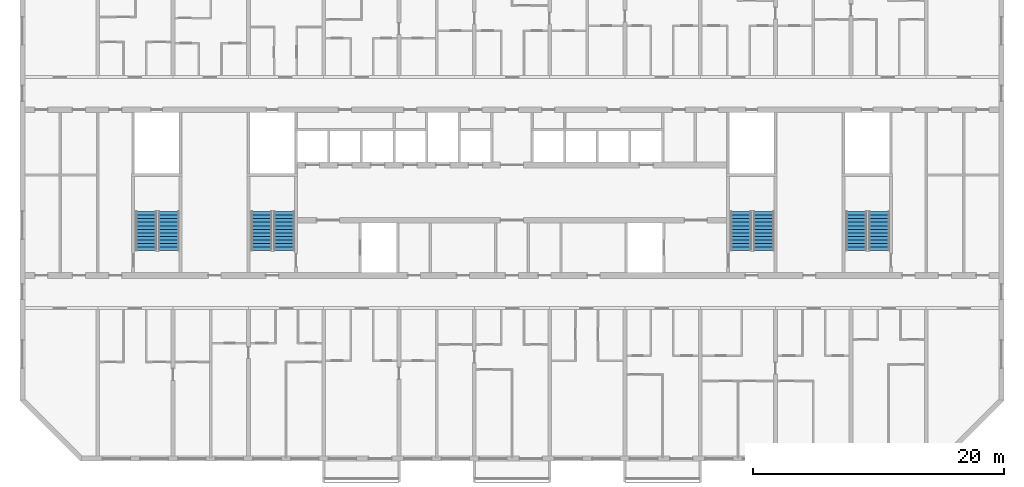
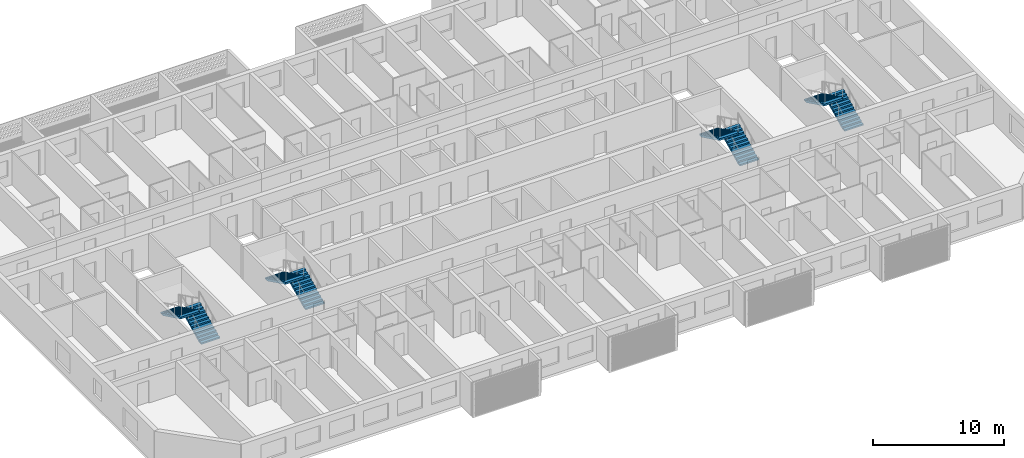
# One storey, part 13 of 32: 8 stair flights, 4 elements without a shape of their own.
"""IFC4 building model written with IfcOpenShell, lengths in metres."""

from ifc_helpers import new_model, si_unit, direction, frame, origin, place, context, subcontext, project, spatial, polyline, outline, extrude, material, layer, layer_set, type_object, element, aggregate, save


model = new_model("IFC4")

# Units and contexts
model_context = context("Model", 3, precision=1e-05, world=origin(), true_north=direction((0.0, 1.0)))
body_context = subcontext(model_context, "Body", "Model", "MODEL_VIEW")
ifc_project = project(units=[si_unit("LENGTHUNIT", "METRE"), si_unit("AREAUNIT", "SQUARE_METRE"), si_unit("VOLUMEUNIT", "CUBIC_METRE"), si_unit("PLANEANGLEUNIT", "RADIAN"), si_unit("MASSUNIT", "GRAM", prefix="KILO")], contexts=[model_context])

# Site, building, storey
site_placement = place(None, origin())
site = spatial("IfcSite", under=ifc_project, at=site_placement, CompositionType="ELEMENT")
building_placement = place(site_placement, origin())
building = spatial("IfcBuilding", under=site, at=building_placement, Name="Poui Terraces", CompositionType="ELEMENT")
storey_placement = place(building_placement, frame((0.0, 0.0, 122.39990234375)))
storey = spatial("IfcBuildingStorey", under=building, at=storey_placement, Name="L33", CompositionType="ELEMENT", Elevation=122.39990234375)

# Stair, stair flights
ifc_material = material(Name="Concrete 65 MPa", Category="concrete")
stair_type = type_object("IfcStairType", Name="EXIT STAIR 1650 65 MPA", PredefinedType="HALF_TURN_STAIR", material=ifc_material)
stair_1_placement = place(storey_placement, origin())
stair_1 = element("IfcStair", 1, at=stair_1_placement, inside=storey, type_object=stair_type, Name="L33 CORE STAIR EAST", PredefinedType="HALF_TURN_STAIR")
ifc_layer = layer(ifc_material, 0.14990234375)
ifc_layer_set = layer_set([ifc_layer], Name="Concrete 65 MPa")
stair_flight_type = type_object("IfcStairFlightType", Name="STAIR FLIGHT 12 RISERS 138 RISE 65 MPA", PredefinedType="STRAIGHT", material=ifc_layer_set)
stair_flight_1_placement = place(storey_placement, frame((71.050048828125, 16.60009765625, 0.0), z_axis=(0.0, 0.0, 1.0), x_axis=(0.0, 1.0, 0.0)))
stair_flight_1 = element("IfcStairFlight", 2, at=stair_flight_1_placement, type_object=stair_flight_type, Name="ST-CE flight 1", NumberOfRisers=12, NumberOfTreads=11, PredefinedType="STRAIGHT", RiserHeight=0.1375, TreadLength=0.28, context=body_context, shape_type="SweptSolid", body=[
    extrude(outline(polyline([(0.0, 0.0), (0.0, 0.137451171875), (0.280029296875, 0.137451171875), (0.280029296875, 0.27490234375), (0.56005859375, 0.27490234375), (0.56005859375, 0.41259765625), (0.840087890625, 0.41259765625), (0.840087890625, 0.550048828125), (1.1201171875, 0.550048828125), (1.1201171875, 0.6875), (1.39990234375, 0.6875), (1.39990234375, 0.824951171875), (1.679931640625, 0.824951171875), (1.679931640625, 0.96240234375), (1.9599609375, 0.96240234375), (1.9599609375, 1.10009765625), (2.239990234375, 1.10009765625), (2.239990234375, 1.237548828125), (2.52001953125, 1.237548828125), (2.52001953125, 1.375), (2.800048828125, 1.375), (2.800048828125, 1.512451171875), (3.080078125, 1.512451171875), (3.080078125, 1.64990234375), (3.080078125, 1.345458984375), (0.340087890625, 0.0), (0.0, 0.0)])), frame((0.0, 0.824951171875, 0.0), z_axis=(0.0, -1.0, 0.0), x_axis=(1.0, 0.0, 0.0)), (0.0, 0.0, 1.0), 1.64990234375),
])
stair_flight_2_placement = place(storey_placement, frame((69.25, 19.679931640625, 1.650146484375), z_axis=(0.0, 0.0, 1.0), x_axis=(0.0, -1.0, 0.0)))
stair_flight_2 = element("IfcStairFlight", 3, at=stair_flight_2_placement, type_object=stair_flight_type, Name="ST-CE flight 2", NumberOfRisers=12, NumberOfTreads=11, PredefinedType="STRAIGHT", RiserHeight=0.1375, TreadLength=0.28, context=body_context, shape_type="SweptSolid", body=[
    extrude(outline(polyline([(0.0, 0.0), (0.0, 0.137451171875), (0.280029296875, 0.137451171875), (0.280029296875, 0.27490234375), (0.56005859375, 0.27490234375), (0.56005859375, 0.41259765625), (0.840087890625, 0.41259765625), (0.840087890625, 0.550048828125), (1.1201171875, 0.550048828125), (1.1201171875, 0.6875), (1.39990234375, 0.6875), (1.39990234375, 0.824951171875), (1.679931640625, 0.824951171875), (1.679931640625, 0.96240234375), (1.9599609375, 0.96240234375), (1.9599609375, 1.10009765625), (2.239990234375, 1.10009765625), (2.239990234375, 1.237548828125), (2.52001953125, 1.237548828125), (2.52001953125, 1.375), (2.800048828125, 1.375), (2.800048828125, 1.512451171875), (3.080078125, 1.512451171875), (3.080078125, 1.64990234375), (3.080078125, 1.345458984375), (0.340087890625, 0.0), (0.0, 0.0)])), frame((0.0, 0.824951171875, 0.0), z_axis=(0.0, -1.0, 0.0), x_axis=(1.0, 0.0, 0.0)), (0.0, 0.0, 1.0), 1.64990234375),
])
aggregate(stair_1, [stair_flight_1, stair_flight_2])

stair_2_placement = place(storey_placement, origin())
stair_2 = element("IfcStair", 4, at=stair_2_placement, inside=storey, type_object=stair_type, Name="L33 CORE STAIR WEST", PredefinedType="HALF_TURN_STAIR")
stair_flight_3_placement = place(storey_placement, frame((32.85009765625, 16.60009765625, 0.0), z_axis=(0.0, 0.0, 1.0), x_axis=(0.0, 1.0, 0.0)))
stair_flight_3 = element("IfcStairFlight", 5, at=stair_flight_3_placement, type_object=stair_flight_type, Name="ST-CW flight 1", NumberOfRisers=12, NumberOfTreads=11, PredefinedType="STRAIGHT", RiserHeight=0.1375, TreadLength=0.28, context=body_context, shape_type="SweptSolid", body=[
    extrude(outline(polyline([(0.0, 0.0), (0.0, 0.137451171875), (0.280029296875, 0.137451171875), (0.280029296875, 0.27490234375), (0.56005859375, 0.27490234375), (0.56005859375, 0.41259765625), (0.840087890625, 0.41259765625), (0.840087890625, 0.550048828125), (1.1201171875, 0.550048828125), (1.1201171875, 0.6875), (1.39990234375, 0.6875), (1.39990234375, 0.824951171875), (1.679931640625, 0.824951171875), (1.679931640625, 0.96240234375), (1.9599609375, 0.96240234375), (1.9599609375, 1.10009765625), (2.239990234375, 1.10009765625), (2.239990234375, 1.237548828125), (2.52001953125, 1.237548828125), (2.52001953125, 1.375), (2.800048828125, 1.375), (2.800048828125, 1.512451171875), (3.080078125, 1.512451171875), (3.080078125, 1.64990234375), (3.080078125, 1.345458984375), (0.340087890625, 0.0), (0.0, 0.0)])), frame((0.0, 0.824951171875, 0.0), z_axis=(0.0, -1.0, 0.0), x_axis=(1.0, 0.0, 0.0)), (0.0, 0.0, 1.0), 1.64990234375),
])
stair_flight_4_placement = place(storey_placement, frame((31.050048828125, 19.679931640625, 1.650146484375), z_axis=(0.0, 0.0, 1.0), x_axis=(0.0, -1.0, 0.0)))
stair_flight_4 = element("IfcStairFlight", 6, at=stair_flight_4_placement, type_object=stair_flight_type, Name="ST-CW flight 2", NumberOfRisers=12, NumberOfTreads=11, PredefinedType="STRAIGHT", RiserHeight=0.1375, TreadLength=0.28, context=body_context, shape_type="SweptSolid", body=[
    extrude(outline(polyline([(0.0, 0.0), (0.0, 0.137451171875), (0.280029296875, 0.137451171875), (0.280029296875, 0.27490234375), (0.56005859375, 0.27490234375), (0.56005859375, 0.41259765625), (0.840087890625, 0.41259765625), (0.840087890625, 0.550048828125), (1.1201171875, 0.550048828125), (1.1201171875, 0.6875), (1.39990234375, 0.6875), (1.39990234375, 0.824951171875), (1.679931640625, 0.824951171875), (1.679931640625, 0.96240234375), (1.9599609375, 0.96240234375), (1.9599609375, 1.10009765625), (2.239990234375, 1.10009765625), (2.239990234375, 1.237548828125), (2.52001953125, 1.237548828125), (2.52001953125, 1.375), (2.800048828125, 1.375), (2.800048828125, 1.512451171875), (3.080078125, 1.512451171875), (3.080078125, 1.64990234375), (3.080078125, 1.345458984375), (0.340087890625, 0.0), (0.0, 0.0)])), frame((0.0, 0.824951171875, 0.0), z_axis=(0.0, -1.0, 0.0), x_axis=(1.0, 0.0, 0.0)), (0.0, 0.0, 1.0), 1.64990234375),
])
aggregate(stair_2, [stair_flight_3, stair_flight_4])

stair_3_placement = place(storey_placement, origin())
stair_3 = element("IfcStair", 7, at=stair_3_placement, inside=storey, type_object=stair_type, Name="L33 TIP STAIR EAST", PredefinedType="HALF_TURN_STAIR")
stair_flight_5_placement = place(storey_placement, frame((80.25, 16.60009765625, 0.0), z_axis=(0.0, 0.0, 1.0), x_axis=(0.0, 1.0, 0.0)))
stair_flight_5 = element("IfcStairFlight", 8, at=stair_flight_5_placement, type_object=stair_flight_type, Name="ST-E flight 1", NumberOfRisers=12, NumberOfTreads=11, PredefinedType="STRAIGHT", RiserHeight=0.1375, TreadLength=0.28, context=body_context, shape_type="SweptSolid", body=[
    extrude(outline(polyline([(0.0, 0.0), (0.0, 0.137451171875), (0.280029296875, 0.137451171875), (0.280029296875, 0.27490234375), (0.56005859375, 0.27490234375), (0.56005859375, 0.41259765625), (0.840087890625, 0.41259765625), (0.840087890625, 0.550048828125), (1.1201171875, 0.550048828125), (1.1201171875, 0.6875), (1.39990234375, 0.6875), (1.39990234375, 0.824951171875), (1.679931640625, 0.824951171875), (1.679931640625, 0.96240234375), (1.9599609375, 0.96240234375), (1.9599609375, 1.10009765625), (2.239990234375, 1.10009765625), (2.239990234375, 1.237548828125), (2.52001953125, 1.237548828125), (2.52001953125, 1.375), (2.800048828125, 1.375), (2.800048828125, 1.512451171875), (3.080078125, 1.512451171875), (3.080078125, 1.64990234375), (3.080078125, 1.345458984375), (0.340087890625, 0.0), (0.0, 0.0)])), frame((0.0, 0.824951171875, 0.0), z_axis=(0.0, -1.0, 0.0), x_axis=(1.0, 0.0, 0.0)), (0.0, 0.0, 1.0), 1.64990234375),
])
stair_flight_6_placement = place(storey_placement, frame((78.449951171875, 19.679931640625, 1.650146484375), z_axis=(0.0, 0.0, 1.0), x_axis=(0.0, -1.0, 0.0)))
stair_flight_6 = element("IfcStairFlight", 9, at=stair_flight_6_placement, type_object=stair_flight_type, Name="ST-E flight 2", NumberOfRisers=12, NumberOfTreads=11, PredefinedType="STRAIGHT", RiserHeight=0.1375, TreadLength=0.28, context=body_context, shape_type="SweptSolid", body=[
    extrude(outline(polyline([(0.0, 0.0), (0.0, 0.137451171875), (0.280029296875, 0.137451171875), (0.280029296875, 0.27490234375), (0.56005859375, 0.27490234375), (0.56005859375, 0.41259765625), (0.840087890625, 0.41259765625), (0.840087890625, 0.550048828125), (1.1201171875, 0.550048828125), (1.1201171875, 0.6875), (1.39990234375, 0.6875), (1.39990234375, 0.824951171875), (1.679931640625, 0.824951171875), (1.679931640625, 0.96240234375), (1.9599609375, 0.96240234375), (1.9599609375, 1.10009765625), (2.239990234375, 1.10009765625), (2.239990234375, 1.237548828125), (2.52001953125, 1.237548828125), (2.52001953125, 1.375), (2.800048828125, 1.375), (2.800048828125, 1.512451171875), (3.080078125, 1.512451171875), (3.080078125, 1.64990234375), (3.080078125, 1.345458984375), (0.340087890625, 0.0), (0.0, 0.0)])), frame((0.0, 0.824951171875, 0.0), z_axis=(0.0, -1.0, 0.0), x_axis=(1.0, 0.0, 0.0)), (0.0, 0.0, 1.0), 1.64990234375),
])
aggregate(stair_3, [stair_flight_5, stair_flight_6])

stair_4_placement = place(storey_placement, origin())
stair_4 = element("IfcStair", 10, at=stair_4_placement, inside=storey, type_object=stair_type, Name="L33 TIP STAIR WEST", PredefinedType="HALF_TURN_STAIR")
stair_flight_7_placement = place(storey_placement, frame((23.64990234375, 16.60009765625, 0.0), z_axis=(0.0, 0.0, 1.0), x_axis=(0.0, 1.0, 0.0)))
stair_flight_7 = element("IfcStairFlight", 11, at=stair_flight_7_placement, type_object=stair_flight_type, Name="ST-W flight 1", NumberOfRisers=12, NumberOfTreads=11, PredefinedType="STRAIGHT", RiserHeight=0.1375, TreadLength=0.28, context=body_context, shape_type="SweptSolid", body=[
    extrude(outline(polyline([(0.0, 0.0), (0.0, 0.137451171875), (0.280029296875, 0.137451171875), (0.280029296875, 0.27490234375), (0.56005859375, 0.27490234375), (0.56005859375, 0.41259765625), (0.840087890625, 0.41259765625), (0.840087890625, 0.550048828125), (1.1201171875, 0.550048828125), (1.1201171875, 0.6875), (1.39990234375, 0.6875), (1.39990234375, 0.824951171875), (1.679931640625, 0.824951171875), (1.679931640625, 0.96240234375), (1.9599609375, 0.96240234375), (1.9599609375, 1.10009765625), (2.239990234375, 1.10009765625), (2.239990234375, 1.237548828125), (2.52001953125, 1.237548828125), (2.52001953125, 1.375), (2.800048828125, 1.375), (2.800048828125, 1.512451171875), (3.080078125, 1.512451171875), (3.080078125, 1.64990234375), (3.080078125, 1.345458984375), (0.340087890625, 0.0), (0.0, 0.0)])), frame((0.0, 0.824951171875, 0.0), z_axis=(0.0, -1.0, 0.0), x_axis=(1.0, 0.0, 0.0)), (0.0, 0.0, 1.0), 1.64990234375),
])
stair_flight_8_placement = place(storey_placement, frame((21.85009765625, 19.679931640625, 1.650146484375), z_axis=(0.0, 0.0, 1.0), x_axis=(0.0, -1.0, 0.0)))
stair_flight_8 = element("IfcStairFlight", 12, at=stair_flight_8_placement, type_object=stair_flight_type, Name="ST-W flight 2", NumberOfRisers=12, NumberOfTreads=11, PredefinedType="STRAIGHT", RiserHeight=0.1375, TreadLength=0.28, context=body_context, shape_type="SweptSolid", body=[
    extrude(outline(polyline([(0.0, 0.0), (0.0, 0.137451171875), (0.280029296875, 0.137451171875), (0.280029296875, 0.27490234375), (0.56005859375, 0.27490234375), (0.56005859375, 0.41259765625), (0.840087890625, 0.41259765625), (0.840087890625, 0.550048828125), (1.1201171875, 0.550048828125), (1.1201171875, 0.6875), (1.39990234375, 0.6875), (1.39990234375, 0.824951171875), (1.679931640625, 0.824951171875), (1.679931640625, 0.96240234375), (1.9599609375, 0.96240234375), (1.9599609375, 1.10009765625), (2.239990234375, 1.10009765625), (2.239990234375, 1.237548828125), (2.52001953125, 1.237548828125), (2.52001953125, 1.375), (2.800048828125, 1.375), (2.800048828125, 1.512451171875), (3.080078125, 1.512451171875), (3.080078125, 1.64990234375), (3.080078125, 1.345458984375), (0.340087890625, 0.0), (0.0, 0.0)])), frame((0.0, 0.824951171875, 0.0), z_axis=(0.0, -1.0, 0.0), x_axis=(1.0, 0.0, 0.0)), (0.0, 0.0, 1.0), 1.64990234375),
])
aggregate(stair_4, [stair_flight_7, stair_flight_8])

save(model, "model.ifc")
